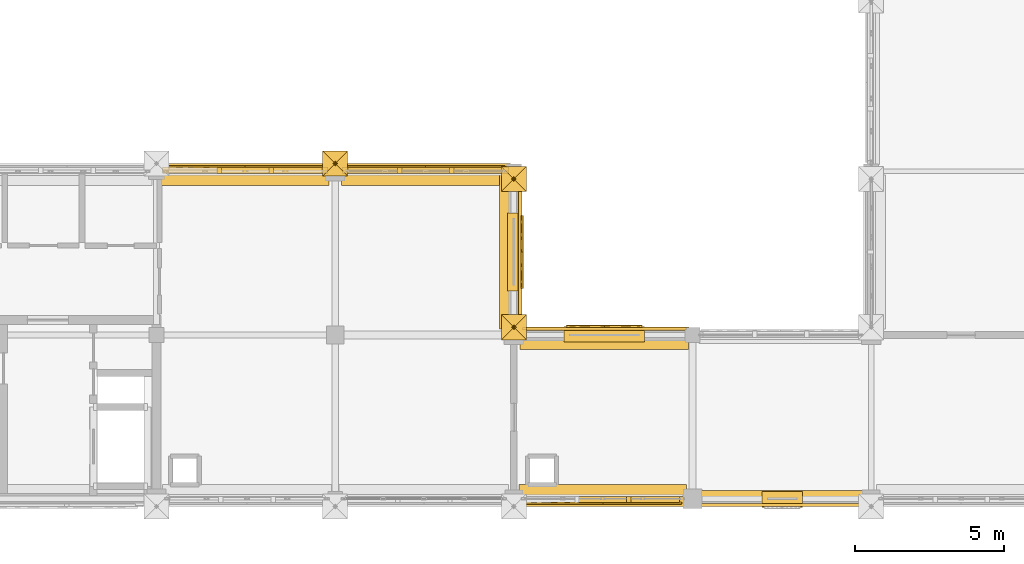
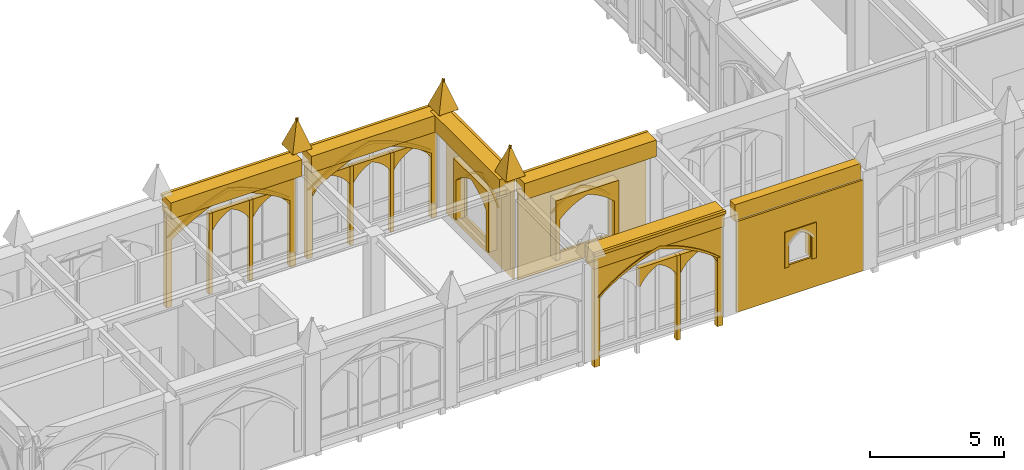
# One storey, part 116 of 143: 49 coverings.
"""IFC4 building model written with IfcOpenShell, lengths in metres."""

from ifc_helpers import new_model, si_unit, direction, frame, origin, origin_2d, place, context, subcontext, project, spatial, polyline, rectangle, outline, extrude, material, type_object, element, save


model = new_model("IFC4")

# Units and contexts
model_context = context("Model", 3, precision=1e-05, world=origin(), true_north=direction((0.0, 1.0)))
body_context = subcontext(model_context, "Body", "Model", "MODEL_VIEW")
ifc_project = project(units=[si_unit("LENGTHUNIT", "METRE"), si_unit("AREAUNIT", "SQUARE_METRE"), si_unit("VOLUMEUNIT", "CUBIC_METRE"), si_unit("PLANEANGLEUNIT", "RADIAN"), si_unit("MASSUNIT", "GRAM", prefix="KILO")], contexts=[model_context])

# Site, building, storey
site_placement = place(None, origin())
site = spatial("IfcSite", under=ifc_project, at=site_placement, CompositionType="ELEMENT")
building_placement = place(site_placement, origin())
building = spatial("IfcBuilding", under=site, at=building_placement, Name="Cumevento Cable Car Station", CompositionType="ELEMENT")
storey_placement = place(building_placement, frame((0.0, 0.0, 9.0)))
storey = spatial("IfcBuildingStorey", under=building, at=storey_placement, Name="L03", CompositionType="ELEMENT", Elevation=9.0)

# Coverings
ifc_material = material(Name="Gnaisse Facoidal Stone Ashlar 85 MPa", Category="masonry")
covering_type = type_object("IfcCoveringType", Name="Gnaisse Ashlar Cladding CV-CL01", PredefinedType="CLADDING", material=ifc_material)
for number, where, z_axis, x_axis, name in (
    (1, (40.419921875, 14.840087890625, 4.8701171875), (0.0, -0.951573760476, 0.30742052367), (-1.0, 0.0, 0.0), "Gothic Buttress Pinnacle Spire Facet 1 bt:40.0:15.0"),
    (2, (39.580078125, 14.840087890625, 4.8701171875), (-0.951573760476, 0.0, 0.30742052367), (0.0, 1.0, 0.0), "Gothic Buttress Pinnacle Spire Facet 2 bt:40.0:15.0"),
    (3, (39.580078125, 15.679931640625, 4.8701171875), (0.0, 0.951573760476, 0.30742052367), (1.0, 0.0, 0.0), "Gothic Buttress Pinnacle Spire Facet 3 bt:40.0:15.0"),
    (4, (40.419921875, 15.679931640625, 4.8701171875), (0.951573760476, 0.0, 0.30742052367), (0.0, -1.0, 0.0), "Gothic Buttress Pinnacle Spire Facet 4 bt:40.0:15.0"),
    (5, (46.419921875, 9.340087890625, 4.8701171875), (0.0, -0.951573760476, 0.30742052367), (-1.0, 0.0, 0.0), "Gothic Buttress Pinnacle Spire Facet 1 bt:46.0:9.5"),
    (6, (45.580078125, 9.340087890625, 4.8701171875), (-0.951573760476, 0.0, 0.30742052367), (0.0, 1.0, 0.0), "Gothic Buttress Pinnacle Spire Facet 2 bt:46.0:9.5"),
    (7, (45.580078125, 10.179931640625, 4.8701171875), (0.0, 0.951573760476, 0.30742052367), (1.0, 0.0, 0.0), "Gothic Buttress Pinnacle Spire Facet 3 bt:46.0:9.5"),
    (8, (46.419921875, 10.179931640625, 4.8701171875), (0.951573760476, 0.0, 0.30742052367), (0.0, -1.0, 0.0), "Gothic Buttress Pinnacle Spire Facet 4 bt:46.0:9.5"),
    (9, (45.580078125, 15.159912109375, 4.8701171875), (0.0, 0.951573760476, 0.30742052367), (1.0, 0.0, 0.0), "Gothic Buttress Pinnacle Spire Facet 1 bt:46.0:15.0"),
    (10, (46.419921875, 15.159912109375, 4.8701171875), (0.951573760476, 0.0, 0.30742052367), (0.0, -1.0, 0.0), "Gothic Buttress Pinnacle Spire Facet 2 bt:46.0:15.0"),
    (11, (46.419921875, 14.320068359375, 4.8701171875), (0.0, -0.951573760476, 0.30742052367), (-1.0, 0.0, 0.0), "Gothic Buttress Pinnacle Spire Facet 3 bt:46.0:15.0"),
    (12, (45.580078125, 14.320068359375, 4.8701171875), (-0.951573760476, 0.0, 0.30742052367), (0.0, 1.0, 0.0), "Gothic Buttress Pinnacle Spire Facet 4 bt:46.0:15.0"),
):
    element("IfcCovering", number, at=place(storey_placement, frame(where, z_axis=z_axis, x_axis=x_axis)), inside=storey, type_object=covering_type, Name=name, PredefinedType="CLADDING", context=body_context, shape_type="SweptSolid", body=[
        extrude(outline(polyline([(0.0, 0.0), (0.83984375, 0.0), (0.419921875, -1.3659526370817139), (0.0, 0.0)])), origin(), (0.0, 0.0, -1.0), 0.0849609375),
    ])
covering_1_placement = place(storey_placement, frame((36.97509765625, 14.85009765625, 4.032958984375), z_axis=(0.0, 0.0, 1.0), x_axis=(1.0, 0.0, 0.0)))
element("IfcCovering", 13, at=covering_1_placement, inside=storey, type_object=covering_type, Name="Gothic Stone Spandrel Stringcourse sc:0586", PredefinedType="CLADDING", context=body_context, shape_type="SweptSolid", body=[
    extrude(rectangle(XDim=5.639892578125, YDim=0.659912109375, at=origin_2d()), origin(), (0.0, 0.0, 1.0), 0.7470703125),
])
covering_2_placement = place(storey_placement, frame((36.97509765625, 15.20751953125, 4.650146484375), z_axis=(0.0, 0.0, 1.0), x_axis=(1.0, 0.0, 0.0)))
element("IfcCovering", 14, at=covering_2_placement, inside=storey, type_object=covering_type, Name="Gothic Cornice Dripstone Lip sc:0586", PredefinedType="CLADDING", context=body_context, shape_type="SweptSolid", body=[
    extrude(rectangle(XDim=5.679931640625, YDim=0.114990234375, at=origin_2d()), origin(), (0.0, 0.0, 1.0), 0.1298828125),
])
covering_3_placement = place(storey_placement, frame((43.03759765625, 14.85009765625, 4.032958984375), z_axis=(0.0, 0.0, 1.0), x_axis=(1.0, 0.0, 0.0)))
element("IfcCovering", 15, at=covering_3_placement, inside=storey, type_object=covering_type, Name="Gothic Stone Spandrel Stringcourse sc:0587", PredefinedType="CLADDING", context=body_context, shape_type="SweptSolid", body=[
    extrude(rectangle(XDim=5.6650390625, YDim=0.659912109375, at=origin_2d()), origin(), (0.0, 0.0, 1.0), 0.7470703125),
])
covering_4_placement = place(storey_placement, frame((43.03759765625, 15.20751953125, 4.650146484375), z_axis=(0.0, 0.0, 1.0), x_axis=(1.0, 0.0, 0.0)))
element("IfcCovering", 16, at=covering_4_placement, inside=storey, type_object=covering_type, Name="Gothic Cornice Dripstone Lip sc:0587", PredefinedType="CLADDING", context=body_context, shape_type="SweptSolid", body=[
    extrude(rectangle(XDim=5.705078125, YDim=0.114990234375, at=origin_2d()), origin(), (0.0, 0.0, 1.0), 0.1298828125),
])
covering_5_placement = place(storey_placement, frame((45.85009765625, 12.28759765625, 4.032958984375), z_axis=(0.0, 0.0, 1.0), x_axis=(0.0, -1.0, 0.0)))
element("IfcCovering", 17, at=covering_5_placement, inside=storey, type_object=covering_type, Name="Gothic Stone Spandrel Stringcourse sc:0590", PredefinedType="CLADDING", context=body_context, shape_type="SweptSolid", body=[
    extrude(rectangle(XDim=5.1650390625, YDim=0.659912109375, at=origin_2d()), origin(), (0.0, 0.0, 1.0), 0.7470703125),
])
covering_6_placement = place(storey_placement, frame((46.20751953125, 12.28759765625, 4.650146484375), z_axis=(0.0, 0.0, 1.0), x_axis=(0.0, -1.0, 0.0)))
element("IfcCovering", 18, at=covering_6_placement, inside=storey, type_object=covering_type, Name="Gothic Cornice Dripstone Lip sc:0590", PredefinedType="CLADDING", context=body_context, shape_type="SweptSolid", body=[
    extrude(rectangle(XDim=5.205078125, YDim=0.114990234375, at=origin_2d()), origin(), (0.0, 0.0, 1.0), 0.1298828125),
])
covering_7_placement = place(storey_placement, frame((48.987548828125, 4.14990234375, 4.032958984375), z_axis=(0.0, 0.0, 1.0), x_axis=(-1.0, 0.0, 0.0)))
element("IfcCovering", 19, at=covering_7_placement, inside=storey, type_object=covering_type, Name="Gothic Stone Spandrel Stringcourse sc:0591", PredefinedType="CLADDING", context=body_context, shape_type="SweptSolid", body=[
    extrude(rectangle(XDim=5.614990234375, YDim=0.659912109375, at=origin_2d()), origin(), (0.0, 0.0, 1.0), 0.7470703125),
])
covering_8_placement = place(storey_placement, frame((48.987548828125, 3.79248046875, 4.650146484375), z_axis=(0.0, 0.0, 1.0), x_axis=(-1.0, 0.0, 0.0)))
element("IfcCovering", 20, at=covering_8_placement, inside=storey, type_object=covering_type, Name="Gothic Cornice Dripstone Lip sc:0591", PredefinedType="CLADDING", context=body_context, shape_type="SweptSolid", body=[
    extrude(rectangle(XDim=5.655029296875, YDim=0.114990234375, at=origin_2d()), origin(), (0.0, 0.0, 1.0), 0.1298828125),
])
covering_9_placement = place(storey_placement, frame((55.012451171875, 4.090087890625, 4.032958984375), z_axis=(0.0, 0.0, 1.0), x_axis=(-1.0, 0.0, 0.0)))
element("IfcCovering", 21, at=covering_9_placement, inside=storey, type_object=covering_type, Name="Gothic Stone Spandrel Stringcourse sc:0592", PredefinedType="CLADDING", context=body_context, shape_type="SweptSolid", body=[
    extrude(rectangle(XDim=5.43505859375, YDim=0.3798828125, at=origin_2d()), origin(), (0.0, 0.0, 1.0), 0.7470703125),
])
covering_10_placement = place(storey_placement, frame((49.03759765625, 9.35009765625, 4.032958984375), z_axis=(0.0, 0.0, 1.0), x_axis=(1.0, 0.0, 0.0)))
element("IfcCovering", 22, at=covering_10_placement, inside=storey, type_object=covering_type, Name="Gothic Stone Spandrel Stringcourse sc:0597", PredefinedType="CLADDING", context=body_context, shape_type="SweptSolid", body=[
    extrude(rectangle(XDim=5.6650390625, YDim=0.659912109375, at=origin_2d()), origin(), (0.0, 0.0, 1.0), 0.7470703125),
])
covering_11_placement = place(storey_placement, frame((49.03759765625, 9.70751953125, 4.650146484375), z_axis=(0.0, 0.0, 1.0), x_axis=(1.0, 0.0, 0.0)))
element("IfcCovering", 23, at=covering_11_placement, inside=storey, type_object=covering_type, Name="Gothic Cornice Dripstone Lip sc:0597", PredefinedType="CLADDING", context=body_context, shape_type="SweptSolid", body=[
    extrude(rectangle(XDim=5.705078125, YDim=0.114990234375, at=origin_2d()), origin(), (0.0, 0.0, 1.0), 0.1298828125),
])
placement_1 = place(storey_placement, frame((34.27490234375, 15.0, -0.27001953125), z_axis=(0.0, 0.0, 1.0), x_axis=(1.0, 0.0, 0.0)))
element("IfcCovering", 24, at=placement_1, inside=storey, type_object=covering_type, Name="Gothic Ogival Pointed-Arch Stone Spandrel cw_ogival:0069", PredefinedType="CLADDING", context=body_context, shape_type="SweptSolid", body=[
    extrude(outline(polyline([(-0.080078125, 0.0), (-0.080078125, 4.443115234375), (5.47998046875, 4.443115234375), (5.47998046875, 0.0), (5.239990234375, 0.0), (5.239990234375, 3.037109375), (4.9521484375, 3.2431640625), (4.654541015625, 3.434326171875), (4.347412109375, 3.610107421875), (4.031494140625, 3.77001953125), (3.708251953125, 3.91357421875), (3.3779296875, 4.04052734375), (3.04150390625, 4.150390625), (2.699951171875, 4.242919921875), (2.3583984375, 4.150390625), (2.02197265625, 4.04052734375), (1.691650390625, 3.91357421875), (1.368408203125, 3.77001953125), (1.052490234375, 3.610107421875), (0.745361328125, 3.434326171875), (0.44775390625, 3.2431640625), (0.159912109375, 3.037109375), (0.159912109375, 0.0), (-0.080078125, 0.0)])), frame((0.0, 0.139892578125, 0.0), z_axis=(0.0, -1.0, 0.0), x_axis=(1.0, 0.0, 0.0)), (0.0, 0.0, 1.0), 0.219970703125),
])
covering_13_placement = place(storey_placement, frame((34.27490234375, 15.0, 2.76708984375), z_axis=(0.0, 0.0, 1.0), x_axis=(1.0, 0.0, 0.0)))
element("IfcCovering", 25, at=covering_13_placement, inside=storey, type_object=covering_type, Name="Gothic Pointed Archivolt Hood Moulding cw_ogival:0069", PredefinedType="CLADDING", context=body_context, shape_type="SweptSolid", body=[
    extrude(outline(polyline([(0.159912109375, 0.0), (0.44775390625, 0.2060546875), (0.745361328125, 0.397216796875), (1.052490234375, 0.572998046875), (1.368408203125, 0.73291015625), (1.691650390625, 0.87646484375), (2.02197265625, 1.00341796875), (2.3583984375, 1.11328125), (2.699951171875, 1.205810546875), (3.04150390625, 1.11328125), (3.3779296875, 1.00341796875), (3.708251953125, 0.87646484375), (4.031494140625, 0.73291015625), (4.347412109375, 0.572998046875), (4.654541015625, 0.397216796875), (4.9521484375, 0.2060546875), (5.239990234375, 0.0), (5.35009765625, 0.0), (5.0537109375, 0.228759765625), (4.745849609375, 0.44140625), (4.4267578125, 0.636962890625), (4.09765625, 0.815185546875), (3.759521484375, 0.975341796875), (3.4130859375, 1.1171875), (3.0595703125, 1.23974609375), (2.699951171875, 1.343505859375), (2.34033203125, 1.23974609375), (1.98681640625, 1.1171875), (1.640380859375, 0.975341796875), (1.30224609375, 0.815185546875), (0.97314453125, 0.636962890625), (0.654052734375, 0.44140625), (0.34619140625, 0.228759765625), (0.050048828125, 0.0), (0.159912109375, 0.0)])), frame((0.0, 0.181884765625, 0.0), z_axis=(0.0, -1.0, 0.0), x_axis=(1.0, 0.0, 0.0)), (0.0, 0.0, 1.0), 0.06689453125),
])
element("IfcCovering", 26, at=placement_1, inside=storey, type_object=covering_type, Name="Gothic Bifora Stone Colonnette cw_ogival:0069 #1", PredefinedType="CLADDING", context=body_context, shape_type="SweptSolid", body=[
    extrude(outline(polyline([(1.75341796875, -0.02001953125), (1.9033203125, -0.02001953125), (1.9033203125, 3.664306640625), (1.75341796875, 3.664306640625), (1.75341796875, -0.02001953125)])), frame((0.0, 0.1279296875, 0.0), z_axis=(0.0, -1.0, 0.0), x_axis=(1.0, 0.0, 0.0)), (0.0, 0.0, 1.0), 0.205078125),
])
element("IfcCovering", 27, at=placement_1, inside=storey, type_object=covering_type, Name="Gothic Bifora Stone Colonnette cw_ogival:0069 #2", PredefinedType="CLADDING", context=body_context, shape_type="SweptSolid", body=[
    extrude(outline(polyline([(3.49658203125, -0.02001953125), (3.646728515625, -0.02001953125), (3.646728515625, 3.664306640625), (3.49658203125, 3.664306640625), (3.49658203125, -0.02001953125)])), frame((0.0, 0.1279296875, 0.0), z_axis=(0.0, -1.0, 0.0), x_axis=(1.0, 0.0, 0.0)), (0.0, 0.0, 1.0), 0.205078125),
])
for number, where, z_axis, x_axis, name in (
    (28, (36.1484375, 15.0, 2.587158203125), (0.0, 0.0, 1.0), (1.0, 0.0, 0.0), "Gothic Ogival Pointed-Arch Stone Spandrel cw_ogival:0069:sub:1"),
    (29, (37.8916015625, 15.0, 2.587158203125), (0.0, 0.0, 1.0), (1.0, 0.0, 0.0), "Gothic Ogival Pointed-Arch Stone Spandrel cw_ogival:0069:sub:2"),
):
    element("IfcCovering", number, at=place(storey_placement, frame(where, z_axis=z_axis, x_axis=x_axis)), inside=storey, type_object=covering_type, Name=name, PredefinedType="CLADDING", context=body_context, shape_type="SweptSolid", body=[
        extrude(outline(polyline([(-0.02001953125, 0.0), (-0.02001953125, 0.80712890625), (1.67333984375, 0.80712890625), (1.67333984375, 0.0), (1.61328125, 0.0), (1.5166015625, 0.1484375), (1.404052734375, 0.285400390625), (1.27734375, 0.4091796875), (1.137451171875, 0.51806640625), (0.98681640625, 0.611083984375), (0.82666015625, 0.68701171875), (0.66650390625, 0.611083984375), (0.515869140625, 0.51806640625), (0.3759765625, 0.4091796875), (0.249267578125, 0.285400390625), (0.13671875, 0.1484375), (0.0400390625, 0.0), (-0.02001953125, 0.0)])), frame((0.0, 0.1240234375, 0.0), z_axis=(0.0, -1.0, 0.0), x_axis=(1.0, 0.0, 0.0)), (0.0, 0.0, 1.0), 0.199951171875),
    ])
placement_2 = place(storey_placement, frame((40.324951171875, 15.0, -0.159912109375), z_axis=(0.0, 0.0, 1.0), x_axis=(1.0, 0.0, 0.0)))
element("IfcCovering", 30, at=placement_2, inside=storey, type_object=covering_type, Name="Gothic Ogival Pointed-Arch Stone Spandrel cw_ogival:0071", PredefinedType="CLADDING", context=body_context, shape_type="SweptSolid", body=[
    extrude(outline(polyline([(-0.080078125, 0.0), (-0.080078125, 4.3330078125), (5.5048828125, 4.3330078125), (5.5048828125, 0.0), (5.264892578125, 0.0), (5.264892578125, 2.966796875), (4.973876953125, 3.16650390625), (4.67333984375, 3.3515625), (4.36376953125, 3.521484375), (4.04638671875, 3.67626953125), (3.721923828125, 3.814697265625), (3.390869140625, 3.9375), (3.053955078125, 4.043701171875), (2.71240234375, 4.133056640625), (2.37109375, 4.043701171875), (2.0341796875, 3.9375), (1.703125, 3.814697265625), (1.378662109375, 3.67626953125), (1.061279296875, 3.521484375), (0.751708984375, 3.3515625), (0.451171875, 3.16650390625), (0.159912109375, 2.966796875), (0.159912109375, 0.0), (-0.080078125, 0.0)])), frame((0.0, 0.139892578125, 0.0), z_axis=(0.0, -1.0, 0.0), x_axis=(1.0, 0.0, 0.0)), (0.0, 0.0, 1.0), 0.219970703125),
])
covering_17_placement = place(storey_placement, frame((40.324951171875, 15.0, 2.806640625), z_axis=(0.0, 0.0, 1.0), x_axis=(1.0, 0.0, 0.0)))
element("IfcCovering", 31, at=covering_17_placement, inside=storey, type_object=covering_type, Name="Gothic Pointed Archivolt Hood Moulding cw_ogival:0071", PredefinedType="CLADDING", context=body_context, shape_type="SweptSolid", body=[
    extrude(outline(polyline([(0.159912109375, 0.0), (0.451171875, 0.19970703125), (0.751708984375, 0.384765625), (1.061279296875, 0.5546875), (1.378662109375, 0.70947265625), (1.703125, 0.84814453125), (2.0341796875, 0.970703125), (2.37109375, 1.076904296875), (2.71240234375, 1.166259765625), (3.053955078125, 1.076904296875), (3.390869140625, 0.970703125), (3.721923828125, 0.84814453125), (4.04638671875, 0.70947265625), (4.36376953125, 0.5546875), (4.67333984375, 0.384765625), (4.973876953125, 0.19970703125), (5.264892578125, 0.0), (5.375, 0.0), (5.075439453125, 0.222412109375), (4.764404296875, 0.428955078125), (4.443115234375, 0.618896484375), (4.1123046875, 0.791748046875), (3.77294921875, 0.947265625), (3.42578125, 1.08447265625), (3.072021484375, 1.20361328125), (2.71240234375, 1.3037109375), (2.35302734375, 1.20361328125), (1.999267578125, 1.08447265625), (1.652099609375, 0.947265625), (1.312744140625, 0.791748046875), (0.98193359375, 0.618896484375), (0.66064453125, 0.428955078125), (0.349609375, 0.222412109375), (0.050048828125, 0.0), (0.159912109375, 0.0)])), frame((0.0, 0.181884765625, 0.0), z_axis=(0.0, -1.0, 0.0), x_axis=(1.0, 0.0, 0.0)), (0.0, 0.0, 1.0), 0.06689453125),
])
element("IfcCovering", 32, at=placement_2, inside=storey, type_object=covering_type, Name="Gothic Bifora Stone Colonnette cw_ogival:0071 #1", PredefinedType="CLADDING", context=body_context, shape_type="SweptSolid", body=[
    extrude(outline(polyline([(1.76171875, -0.02001953125), (1.91162109375, -0.02001953125), (1.91162109375, 3.5732421875), (1.76171875, 3.5732421875), (1.76171875, -0.02001953125)])), frame((0.0, 0.1279296875, 0.0), z_axis=(0.0, -1.0, 0.0), x_axis=(1.0, 0.0, 0.0)), (0.0, 0.0, 1.0), 0.205078125),
])
element("IfcCovering", 33, at=placement_2, inside=storey, type_object=covering_type, Name="Gothic Bifora Stone Colonnette cw_ogival:0071 #2", PredefinedType="CLADDING", context=body_context, shape_type="SweptSolid", body=[
    extrude(outline(polyline([(3.513427734375, -0.02001953125), (3.663330078125, -0.02001953125), (3.663330078125, 3.5732421875), (3.513427734375, 3.5732421875), (3.513427734375, -0.02001953125)])), frame((0.0, 0.1279296875, 0.0), z_axis=(0.0, -1.0, 0.0), x_axis=(1.0, 0.0, 0.0)), (0.0, 0.0, 1.0), 0.205078125),
])
for number, where, z_axis, x_axis, name in (
    (34, (40.455078125, 15.0, 2.626708984375), (0.0, 0.0, 1.0), (1.0, 0.0, 0.0), "Gothic Ogival Pointed-Arch Stone Spandrel cw_ogival:0071:sub:0"),
    (35, (42.206787109375, 15.0, 2.626708984375), (0.0, 0.0, 1.0), (1.0, 0.0, 0.0), "Gothic Ogival Pointed-Arch Stone Spandrel cw_ogival:0071:sub:1"),
    (36, (43.958251953125, 15.0, 2.626708984375), (0.0, 0.0, 1.0), (1.0, 0.0, 0.0), "Gothic Ogival Pointed-Arch Stone Spandrel cw_ogival:0071:sub:2"),
):
    element("IfcCovering", number, at=place(storey_placement, frame(where, z_axis=z_axis, x_axis=x_axis)), inside=storey, type_object=covering_type, Name=name, PredefinedType="CLADDING", context=body_context, shape_type="SweptSolid", body=[
        extrude(outline(polyline([(-0.02001953125, 0.0), (-0.02001953125, 0.78662109375), (1.681640625, 0.78662109375), (1.681640625, 0.0), (1.62158203125, 0.0), (1.522216796875, 0.14453125), (1.408203125, 0.277587890625), (1.2802734375, 0.3974609375), (1.140380859375, 0.503173828125), (0.989990234375, 0.593017578125), (0.830810546875, 0.66650390625), (0.671630859375, 0.593017578125), (0.521240234375, 0.503173828125), (0.38134765625, 0.3974609375), (0.25341796875, 0.277587890625), (0.139404296875, 0.14453125), (0.0400390625, 0.0), (-0.02001953125, 0.0)])), frame((0.0, 0.1240234375, 0.0), z_axis=(0.0, -1.0, 0.0), x_axis=(1.0, 0.0, 0.0)), (0.0, 0.0, 1.0), 0.199951171875),
    ])
placement_3 = place(storey_placement, frame((51.675048828125, 4.0, -0.469970703125), z_axis=(0.0, 0.0, 1.0), x_axis=(-1.0, 0.0, 0.0)))
element("IfcCovering", 37, at=placement_3, inside=storey, type_object=covering_type, Name="Gothic Ogival Pointed-Arch Stone Spandrel cw_ogival:0073", PredefinedType="CLADDING", context=body_context, shape_type="SweptSolid", body=[
    extrude(outline(polyline([(-0.080078125, 0.0), (-0.080078125, 4.64306640625), (5.455078125, 4.64306640625), (5.455078125, 0.0), (5.215087890625, 0.0), (5.215087890625, 3.1650390625), (4.932373046875, 3.3828125), (4.638671875, 3.5849609375), (4.334228515625, 3.77099609375), (4.020263671875, 3.940673828125), (3.69775390625, 4.093017578125), (3.367431640625, 4.227783203125), (3.0302734375, 4.344482421875), (2.6875, 4.44287109375), (2.3447265625, 4.344482421875), (2.007568359375, 4.227783203125), (1.67724609375, 4.093017578125), (1.354736328125, 3.940673828125), (1.040771484375, 3.77099609375), (0.736328125, 3.5849609375), (0.442626953125, 3.3828125), (0.159912109375, 3.1650390625), (0.159912109375, 0.0), (-0.080078125, 0.0)])), frame((0.0, 0.139892578125, 0.0), z_axis=(0.0, -1.0, 0.0), x_axis=(1.0, 0.0, 0.0)), (0.0, 0.0, 1.0), 0.219970703125),
])
covering_21_placement = place(storey_placement, frame((51.675048828125, 4.0, 2.695068359375), z_axis=(0.0, 0.0, 1.0), x_axis=(-1.0, 0.0, 0.0)))
element("IfcCovering", 38, at=covering_21_placement, inside=storey, type_object=covering_type, Name="Gothic Pointed Archivolt Hood Moulding cw_ogival:0073", PredefinedType="CLADDING", context=body_context, shape_type="SweptSolid", body=[
    extrude(outline(polyline([(0.159912109375, 0.0), (0.442626953125, 0.2177734375), (0.736328125, 0.419921875), (1.040771484375, 0.60595703125), (1.354736328125, 0.775634765625), (1.67724609375, 0.927978515625), (2.007568359375, 1.062744140625), (2.3447265625, 1.179443359375), (2.6875, 1.27783203125), (3.0302734375, 1.179443359375), (3.367431640625, 1.062744140625), (3.69775390625, 0.927978515625), (4.020263671875, 0.775634765625), (4.334228515625, 0.60595703125), (4.638671875, 0.419921875), (4.932373046875, 0.2177734375), (5.215087890625, 0.0), (5.324951171875, 0.0), (5.0341796875, 0.240478515625), (4.730224609375, 0.4638671875), (4.4140625, 0.669921875), (4.086669921875, 0.857666015625), (3.749267578125, 1.026611328125), (3.40283203125, 1.17626953125), (3.048583984375, 1.305908203125), (2.6875, 1.415283203125), (2.326416015625, 1.305908203125), (1.97216796875, 1.17626953125), (1.625732421875, 1.026611328125), (1.288330078125, 0.857666015625), (0.9609375, 0.669921875), (0.644775390625, 0.4638671875), (0.3408203125, 0.240478515625), (0.050048828125, 0.0), (0.159912109375, 0.0)])), frame((0.0, 0.181884765625, 0.0), z_axis=(0.0, -1.0, 0.0), x_axis=(1.0, 0.0, 0.0)), (0.0, 0.0, 1.0), 0.06689453125),
])
element("IfcCovering", 39, at=placement_3, inside=storey, type_object=covering_type, Name="Gothic Bifora Stone Colonnette cw_ogival:0073 #1", PredefinedType="CLADDING", context=body_context, shape_type="SweptSolid", body=[
    extrude(outline(polyline([(1.7451171875, -0.02001953125), (1.89501953125, -0.02001953125), (1.89501953125, 3.82958984375), (1.7451171875, 3.82958984375), (1.7451171875, -0.02001953125)])), frame((0.0, 0.1279296875, 0.0), z_axis=(0.0, -1.0, 0.0), x_axis=(1.0, 0.0, 0.0)), (0.0, 0.0, 1.0), 0.205078125),
])
for number, where, z_axis, x_axis, name in (
    (40, (51.544921875, 4.0, 2.51513671875), (0.0, 0.0, 1.0), (-1.0, 0.0, 0.0), "Gothic Ogival Pointed-Arch Stone Spandrel cw_ogival:0073:sub:0"),
    (41, (49.81005859375, 4.0, 2.51513671875), (0.0, 0.0, 1.0), (-1.0, 0.0, 0.0), "Gothic Ogival Pointed-Arch Stone Spandrel cw_ogival:0073:sub:1"),
):
    element("IfcCovering", number, at=place(storey_placement, frame(where, z_axis=z_axis, x_axis=x_axis)), inside=storey, type_object=covering_type, Name=name, PredefinedType="CLADDING", context=body_context, shape_type="SweptSolid", body=[
        extrude(outline(polyline([(-0.02001953125, 0.0), (-0.02001953125, 0.844482421875), (1.6650390625, 0.844482421875), (1.6650390625, 0.0), (1.60498046875, 0.0), (1.51220703125, 0.155517578125), (1.40234375, 0.299560546875), (1.276611328125, 0.43017578125), (1.136962890625, 0.54541015625), (0.98486328125, 0.64404296875), (0.822509765625, 0.724609375), (0.66015625, 0.64404296875), (0.508056640625, 0.54541015625), (0.368408203125, 0.43017578125), (0.24267578125, 0.299560546875), (0.1328125, 0.155517578125), (0.0400390625, 0.0), (-0.02001953125, 0.0)])), frame((0.0, 0.1240234375, 0.0), z_axis=(0.0, -1.0, 0.0), x_axis=(1.0, 0.0, 0.0)), (0.0, 0.0, 1.0), 0.199951171875),
    ])
covering_23_placement = place(storey_placement, frame((46.0, 14.75, 0.0), z_axis=(0.0, 0.0, 1.0), x_axis=(0.0, -1.0, 0.0)))
element("IfcCovering", 42, at=covering_23_placement, inside=storey, type_object=covering_type, Name="Exterior Gnaisse Stone Wall Ashlar #226", PredefinedType="CLADDING", context=body_context, shape_type="SweptSolid", body=[
    extrude(outline(polyline([(-0.0400390625, -0.02001953125), (4.965087890625, -0.02001953125), (4.965087890625, 4.113037109375), (-0.0400390625, 4.113037109375), (-0.0400390625, -0.02001953125)]), holes=[polyline([(1.347412109375, 0.659912109375), (3.577392578125, 0.659912109375), (3.577392578125, 3.090087890625), (1.347412109375, 3.090087890625), (1.347412109375, 0.659912109375)])]), frame((0.0, 0.22998046875, 0.0), z_axis=(0.0, -1.0, 0.0), x_axis=(1.0, 0.0, 0.0)), (0.0, 0.0, 1.0), 0.0849609375),
])
covering_24_placement = place(storey_placement, frame((46.0, 13.552490234375, 0.60009765625), z_axis=(0.0, 0.0, 1.0), x_axis=(0.0, -1.0, 0.0)))
element("IfcCovering", 43, at=covering_24_placement, inside=storey, type_object=covering_type, Name="Gothic Ogival Pointed-Arch Stone Spandrel op_ogival:0226:1", PredefinedType="CLADDING", context=body_context, shape_type="SweptSolid", body=[
    extrude(outline(polyline([(-0.0400390625, 0.0), (-0.0400390625, 2.719970703125), (2.570068359375, 2.719970703125), (2.570068359375, 0.0), (2.389892578125, 0.0), (2.389892578125, 1.820068359375), (2.254638671875, 1.957763671875), (2.109619140625, 2.084716796875), (1.955322265625, 2.20068359375), (1.792724609375, 2.3046875), (1.622802734375, 2.396240234375), (1.446533203125, 2.474853515625), (1.264892578125, 2.5400390625), (1.08349609375, 2.474853515625), (0.9072265625, 2.396240234375), (0.7373046875, 2.3046875), (0.57470703125, 2.20068359375), (0.42041015625, 2.084716796875), (0.275390625, 1.957763671875), (0.139892578125, 1.820068359375), (0.139892578125, 0.0), (-0.0400390625, 0.0)])), frame((0.0, 0.26806640625, 0.0), z_axis=(0.0, -1.0, 0.0), x_axis=(1.0, 0.0, 0.0)), (0.0, 0.0, 1.0), 0.489990234375),
])
covering_25_placement = place(storey_placement, frame((46.0, 13.552490234375, 2.419921875), z_axis=(0.0, 0.0, 1.0), x_axis=(0.0, -1.0, 0.0)))
element("IfcCovering", 44, at=covering_25_placement, inside=storey, type_object=covering_type, Name="Gothic Pointed Archivolt Hood Moulding op_ogival:0226:1", PredefinedType="CLADDING", context=body_context, shape_type="SweptSolid", body=[
    extrude(outline(polyline([(0.139892578125, 0.0), (0.275390625, 0.1376953125), (0.42041015625, 0.2646484375), (0.57470703125, 0.380615234375), (0.7373046875, 0.484619140625), (0.9072265625, 0.576171875), (1.08349609375, 0.65478515625), (1.264892578125, 0.719970703125), (1.446533203125, 0.65478515625), (1.622802734375, 0.576171875), (1.792724609375, 0.484619140625), (1.955322265625, 0.380615234375), (2.109619140625, 0.2646484375), (2.254638671875, 0.1376953125), (2.389892578125, 0.0), (2.489013671875, 0.0), (2.345703125, 0.160400390625), (2.190185546875, 0.308837890625), (2.023193359375, 0.444580078125), (1.84619140625, 0.566650390625), (1.659912109375, 0.67431640625), (1.4658203125, 0.766845703125), (1.264892578125, 0.84375), (1.064208984375, 0.766845703125), (0.8701171875, 0.67431640625), (0.683837890625, 0.566650390625), (0.5068359375, 0.444580078125), (0.33984375, 0.308837890625), (0.184326171875, 0.160400390625), (0.041015625, 0.0), (0.139892578125, 0.0)])), frame((0.0, 0.31005859375, 0.0), z_axis=(0.0, -1.0, 0.0), x_axis=(1.0, 0.0, 0.0)), (0.0, 0.0, 1.0), 0.06689453125),
])
covering_26_placement = place(storey_placement, frame((46.324951171875, 9.5, 0.0), z_axis=(0.0, 0.0, 1.0), x_axis=(1.0, 0.0, 0.0)))
element("IfcCovering", 45, at=covering_26_placement, inside=storey, type_object=covering_type, Name="Exterior Gnaisse Stone Wall Ashlar #227", PredefinedType="CLADDING", context=body_context, shape_type="SweptSolid", body=[
    extrude(outline(polyline([(-0.0400390625, -0.02001953125), (5.465087890625, -0.02001953125), (5.465087890625, 4.113037109375), (-0.0400390625, 4.113037109375), (-0.0400390625, -0.02001953125)]), holes=[polyline([(1.547607421875, 0.659912109375), (3.87744140625, 0.659912109375), (3.87744140625, 3.090087890625), (1.547607421875, 3.090087890625), (1.547607421875, 0.659912109375)])]), frame((0.0, 0.2451171875, 0.0), z_axis=(0.0, -1.0, 0.0), x_axis=(1.0, 0.0, 0.0)), (0.0, 0.0, 1.0), 0.0849609375),
])
covering_27_placement = place(storey_placement, frame((47.722412109375, 9.5, 0.60009765625), z_axis=(0.0, 0.0, 1.0), x_axis=(1.0, 0.0, 0.0)))
element("IfcCovering", 46, at=covering_27_placement, inside=storey, type_object=covering_type, Name="Gothic Ogival Pointed-Arch Stone Spandrel op_ogival:0227:1", PredefinedType="CLADDING", context=body_context, shape_type="SweptSolid", body=[
    extrude(outline(polyline([(-0.0400390625, 0.0), (-0.0400390625, 2.719970703125), (2.669921875, 2.719970703125), (2.669921875, 0.0), (2.489990234375, 0.0), (2.489990234375, 1.820068359375), (2.3466796875, 1.9580078125), (2.193603515625, 2.08544921875), (2.031982421875, 2.201171875), (1.8623046875, 2.30517578125), (1.685791015625, 2.396728515625), (1.5029296875, 2.47509765625), (1.31494140625, 2.5400390625), (1.126953125, 2.47509765625), (0.944091796875, 2.396728515625), (0.767578125, 2.30517578125), (0.597900390625, 2.201171875), (0.436279296875, 2.08544921875), (0.283203125, 1.9580078125), (0.139892578125, 1.820068359375), (0.139892578125, 0.0), (-0.0400390625, 0.0)])), frame((0.0, 0.282958984375, 0.0), z_axis=(0.0, -1.0, 0.0), x_axis=(1.0, 0.0, 0.0)), (0.0, 0.0, 1.0), 0.52001953125),
])
covering_28_placement = place(storey_placement, frame((47.722412109375, 9.5, 2.419921875), z_axis=(0.0, 0.0, 1.0), x_axis=(1.0, 0.0, 0.0)))
element("IfcCovering", 47, at=covering_28_placement, inside=storey, type_object=covering_type, Name="Gothic Pointed Archivolt Hood Moulding op_ogival:0227:1", PredefinedType="CLADDING", context=body_context, shape_type="SweptSolid", body=[
    extrude(outline(polyline([(0.139892578125, 0.0), (0.283203125, 0.137939453125), (0.436279296875, 0.265380859375), (0.597900390625, 0.381103515625), (0.767578125, 0.485107421875), (0.944091796875, 0.57666015625), (1.126953125, 0.655029296875), (1.31494140625, 0.719970703125), (1.5029296875, 0.655029296875), (1.685791015625, 0.57666015625), (1.8623046875, 0.485107421875), (2.031982421875, 0.381103515625), (2.193603515625, 0.265380859375), (2.3466796875, 0.137939453125), (2.489990234375, 0.0), (2.589111328125, 0.0), (2.4375, 0.160888671875), (2.274169921875, 0.3095703125), (2.099853515625, 0.4453125), (1.915771484375, 0.5673828125), (1.72265625, 0.6748046875), (1.52197265625, 0.76708984375), (1.31494140625, 0.84375), (1.10791015625, 0.76708984375), (0.9072265625, 0.6748046875), (0.714111328125, 0.5673828125), (0.530029296875, 0.4453125), (0.355712890625, 0.3095703125), (0.1923828125, 0.160888671875), (0.041015625, 0.0), (0.139892578125, 0.0)])), frame((0.0, 0.324951171875, 0.0), z_axis=(0.0, -1.0, 0.0), x_axis=(1.0, 0.0, 0.0)), (0.0, 0.0, 1.0), 0.06689453125),
])
covering_29_placement = place(storey_placement, frame((57.699951171875, 4.0, 0.0), z_axis=(0.0, 0.0, 1.0), x_axis=(-1.0, 0.0, 0.0)))
element("IfcCovering", 48, at=covering_29_placement, inside=storey, type_object=covering_type, Name="Exterior Gnaisse Stone Wall Ashlar #228", PredefinedType="CLADDING", context=body_context, shape_type="SweptSolid", body=[
    extrude(outline(polyline([(-0.0400390625, -0.02001953125), (5.4150390625, -0.02001953125), (5.4150390625, 4.113037109375), (-0.0400390625, 4.113037109375), (-0.0400390625, -0.02001953125)]), holes=[polyline([(2.197509765625, 1.360107421875), (3.177490234375, 1.360107421875), (3.177490234375, 2.68994140625), (2.197509765625, 2.68994140625), (2.197509765625, 1.360107421875)])]), frame((0.0, 0.25244140625, 0.0), z_axis=(0.0, -1.0, 0.0), x_axis=(1.0, 0.0, 0.0)), (0.0, 0.0, 1.0), 0.0849609375),
])
covering_30_placement = place(storey_placement, frame((55.652587890625, 4.0, 1.300048828125), z_axis=(0.0, 0.0, 1.0), x_axis=(-1.0, 0.0, 0.0)))
element("IfcCovering", 49, at=covering_30_placement, inside=storey, type_object=covering_type, Name="Gothic Ogival Pointed-Arch Stone Spandrel op_ogival:0228:1", PredefinedType="CLADDING", context=body_context, shape_type="SweptSolid", body=[
    extrude(outline(polyline([(-0.0400390625, 0.0), (-0.0400390625, 1.6201171875), (1.320068359375, 1.6201171875), (1.320068359375, 0.0), (1.139892578125, 0.0), (1.139892578125, 1.02197265625), (1.086669921875, 1.10009765625), (1.026123046875, 1.173095703125), (0.95947265625, 1.240234375), (0.88671875, 1.30078125), (0.808837890625, 1.354736328125), (0.726318359375, 1.401123046875), (0.639892578125, 1.43994140625), (0.5537109375, 1.401123046875), (0.47119140625, 1.354736328125), (0.393310546875, 1.30078125), (0.320556640625, 1.240234375), (0.25390625, 1.173095703125), (0.193359375, 1.10009765625), (0.139892578125, 1.02197265625), (0.139892578125, 0.0), (-0.0400390625, 0.0)])), frame((0.0, 0.29052734375, 0.0), z_axis=(0.0, -1.0, 0.0), x_axis=(1.0, 0.0, 0.0)), (0.0, 0.0, 1.0), 0.534912109375),
])

save(model, "model.ifc")
